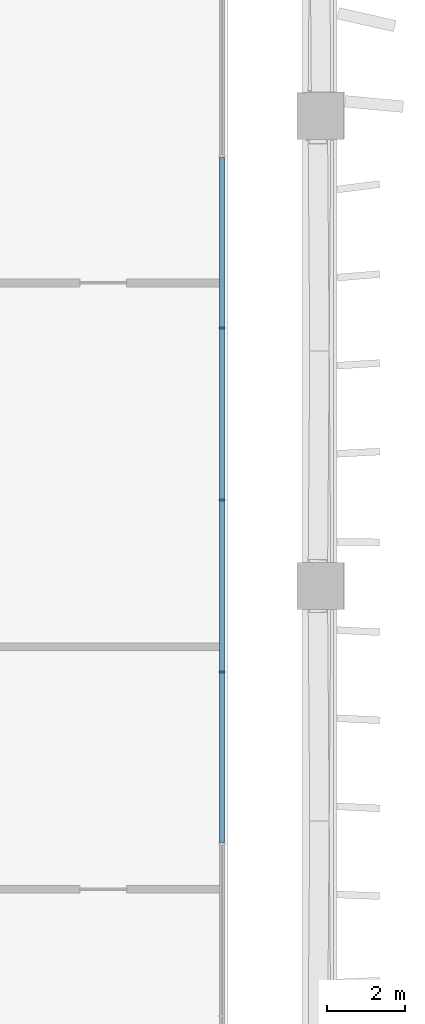
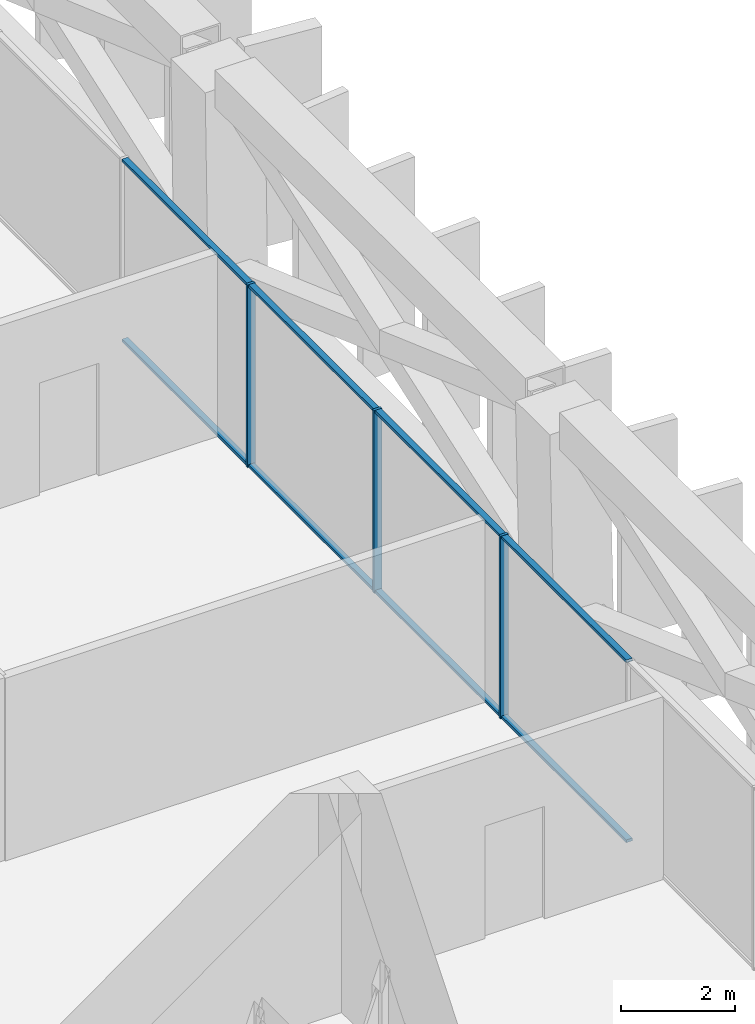
# One storey, part 8 of 18: 11 members, 1 element without a shape of its own.
"""IFC4 building model written with IfcOpenShell, lengths in metres."""

from ifc_helpers import new_model, si_unit, direction, frame, origin, origin_2d, place, context, subcontext, project, spatial, rectangle, extrude, material, layer, layer_set, material_profile, profile_set, type_object, element, aggregate, save


model = new_model("IFC4")

# Units and contexts
model_context = context("Model", 3, precision=1e-05, world=origin(), true_north=direction((0.0, 1.0)))
body_context = subcontext(model_context, "Body", "Model", "MODEL_VIEW")
ifc_project = project(units=[si_unit("LENGTHUNIT", "METRE"), si_unit("AREAUNIT", "SQUARE_METRE"), si_unit("VOLUMEUNIT", "CUBIC_METRE"), si_unit("PLANEANGLEUNIT", "RADIAN"), si_unit("MASSUNIT", "GRAM", prefix="KILO")], contexts=[model_context])

# Site, building, storey
site_placement = place(None, origin())
site = spatial("IfcSite", under=ifc_project, at=site_placement, CompositionType="ELEMENT")
building_placement = place(site_placement, origin())
building = spatial("IfcBuilding", under=site, at=building_placement, Name="Jabali Bay Hotel Tower and Convention Centre", CompositionType="ELEMENT")
storey_placement = place(building_placement, frame((0.0, 0.0, 52.89990234375)))
storey = spatial("IfcBuildingStorey", under=building, at=storey_placement, Name="L11", CompositionType="ELEMENT", Elevation=52.89990234375)

# Curtain wall, members
ifc_material_1 = material(Name="Aluminium and glass", Category="aluminium")
ifc_layer = layer(ifc_material_1, 0.159912109375)
ifc_layer_set = layer_set([ifc_layer], Name="Aluminium and glass")
curtain_wall_type = type_object("IfcCurtainWallType", Name="CW3 curtain wall", PredefinedType="NOTDEFINED", material=ifc_layer_set)
curtain_wall_placement = place(storey_placement, origin())
curtain_wall = element("IfcCurtainWall", 1, at=curtain_wall_placement, inside=storey, type_object=curtain_wall_type, Name="CW3 curtain wall east face L11", PredefinedType="NOTDEFINED")
ifc_material_2 = material(Name="Aluminium", Category="aluminium")
ifc_material_profile_1 = material_profile(ifc_material_2, rectangle(XDim=0.159912109375, YDim=0.06005859375, at=origin_2d()), Name="CW3 mullion 60 x 160")
ifc_profile_set_1 = profile_set([ifc_material_profile_1], Name="Aluminium")
member_type_1 = type_object("IfcMemberType", Name="CW3 mullion 60 x 160", PredefinedType="MULLION", material=ifc_profile_set_1)
member_1_placement = place(storey_placement, frame((96.03759765625, 86.634033203125, 0.0), z_axis=(0.0, 0.0, 1.0), x_axis=(1.0, 0.0, 0.0)))
member_1 = element("IfcMember", 2, at=member_1_placement, type_object=member_type_1, Name="CW3 mullion 6", PredefinedType="MULLION", context=body_context, shape_type="SweptSolid", body=[
    extrude(rectangle(XDim=0.159912109375, YDim=0.06005859375, at=origin_2d()), origin(), (0.0, 0.0, 1.0), 3.900146484375),
])
member_2_placement = place(storey_placement, frame((96.03759765625, 82.21142578125, 0.0), z_axis=(0.0, 0.0, 1.0), x_axis=(1.0, 0.0, 0.0)))
member_2 = element("IfcMember", 3, at=member_2_placement, type_object=member_type_1, Name="CW3 mullion 7", PredefinedType="MULLION", context=body_context, shape_type="SweptSolid", body=[
    extrude(rectangle(XDim=0.159912109375, YDim=0.06005859375, at=origin_2d()), origin(), (0.0, 0.0, 1.0), 3.900146484375),
])
member_3_placement = place(storey_placement, frame((96.03759765625, 77.78857421875, 0.0), z_axis=(0.0, 0.0, 1.0), x_axis=(1.0, 0.0, 0.0)))
member_3 = element("IfcMember", 4, at=member_3_placement, type_object=member_type_1, Name="CW3 mullion 8", PredefinedType="MULLION", context=body_context, shape_type="SweptSolid", body=[
    extrude(rectangle(XDim=0.159912109375, YDim=0.06005859375, at=origin_2d()), origin(), (0.0, 0.0, 1.0), 3.900146484375),
])
ifc_material_profile_2 = material_profile(ifc_material_2, rectangle(XDim=0.1201171875, YDim=0.06005859375, at=origin_2d()), Name="CW3 transom 60 x 120")
ifc_profile_set_2 = profile_set([ifc_material_profile_2], Name="Aluminium")
member_type_2 = type_object("IfcMemberType", Name="CW3 transom 60 x 120", PredefinedType="USERDEFINED", material=ifc_profile_set_2)
member_4_placement = place(storey_placement, frame((96.03759765625, 91.02685546875, 0.030029296875), z_axis=(0.0, -1.0, 0.0), x_axis=(1.0, 0.0, 0.0)))
member_4 = element("IfcMember", 5, at=member_4_placement, type_object=member_type_2, Name="CW3 transom 5.1", ObjectType="TRANSOM", PredefinedType="USERDEFINED", context=body_context, shape_type="SweptSolid", body=[
    extrude(rectangle(XDim=0.1201171875, YDim=0.06005859375, at=origin_2d()), origin(), (0.0, 0.0, 1.0), 4.36279296875),
])
member_5_placement = place(storey_placement, frame((96.03759765625, 91.02685546875, 3.8701171875), z_axis=(0.0, -1.0, 0.0), x_axis=(1.0, 0.0, 0.0)))
member_5 = element("IfcMember", 6, at=member_5_placement, type_object=member_type_2, Name="CW3 transom 5.2", ObjectType="TRANSOM", PredefinedType="USERDEFINED", context=body_context, shape_type="SweptSolid", body=[
    extrude(rectangle(XDim=0.1201171875, YDim=0.06005859375, at=origin_2d()), origin(), (0.0, 0.0, 1.0), 4.36279296875),
])
member_6_placement = place(storey_placement, frame((96.03759765625, 86.60400390625, 0.030029296875), z_axis=(0.0, -1.0, 0.0), x_axis=(1.0, 0.0, 0.0)))
member_6 = element("IfcMember", 7, at=member_6_placement, type_object=member_type_2, Name="CW3 transom 6.1", ObjectType="TRANSOM", PredefinedType="USERDEFINED", context=body_context, shape_type="SweptSolid", body=[
    extrude(rectangle(XDim=0.1201171875, YDim=0.06005859375, at=origin_2d()), origin(), (0.0, 0.0, 1.0), 4.362548828125),
])
member_7_placement = place(storey_placement, frame((96.03759765625, 86.60400390625, 3.8701171875), z_axis=(0.0, -1.0, 0.0), x_axis=(1.0, 0.0, 0.0)))
member_7 = element("IfcMember", 8, at=member_7_placement, type_object=member_type_2, Name="CW3 transom 6.2", ObjectType="TRANSOM", PredefinedType="USERDEFINED", context=body_context, shape_type="SweptSolid", body=[
    extrude(rectangle(XDim=0.1201171875, YDim=0.06005859375, at=origin_2d()), origin(), (0.0, 0.0, 1.0), 4.362548828125),
])
member_8_placement = place(storey_placement, frame((96.03759765625, 82.181396484375, 0.030029296875), z_axis=(0.0, -1.0, 0.0), x_axis=(1.0, 0.0, 0.0)))
member_8 = element("IfcMember", 9, at=member_8_placement, type_object=member_type_2, Name="CW3 transom 7.1", ObjectType="TRANSOM", PredefinedType="USERDEFINED", context=body_context, shape_type="SweptSolid", body=[
    extrude(rectangle(XDim=0.1201171875, YDim=0.06005859375, at=origin_2d()), origin(), (0.0, 0.0, 1.0), 4.36279296875),
])
member_9_placement = place(storey_placement, frame((96.03759765625, 82.181396484375, 3.8701171875), z_axis=(0.0, -1.0, 0.0), x_axis=(1.0, 0.0, 0.0)))
member_9 = element("IfcMember", 10, at=member_9_placement, type_object=member_type_2, Name="CW3 transom 7.2", ObjectType="TRANSOM", PredefinedType="USERDEFINED", context=body_context, shape_type="SweptSolid", body=[
    extrude(rectangle(XDim=0.1201171875, YDim=0.06005859375, at=origin_2d()), origin(), (0.0, 0.0, 1.0), 4.36279296875),
])
member_10_placement = place(storey_placement, frame((96.03759765625, 77.758544921875, 0.030029296875), z_axis=(0.0, -1.0, 0.0), x_axis=(1.0, 0.0, 0.0)))
member_10 = element("IfcMember", 11, at=member_10_placement, type_object=member_type_2, Name="CW3 transom 8.1", ObjectType="TRANSOM", PredefinedType="USERDEFINED", context=body_context, shape_type="SweptSolid", body=[
    extrude(rectangle(XDim=0.1201171875, YDim=0.06005859375, at=origin_2d()), origin(), (0.0, 0.0, 1.0), 4.362548828125),
])
member_11_placement = place(storey_placement, frame((96.03759765625, 77.758544921875, 3.8701171875), z_axis=(0.0, -1.0, 0.0), x_axis=(1.0, 0.0, 0.0)))
member_11 = element("IfcMember", 12, at=member_11_placement, type_object=member_type_2, Name="CW3 transom 8.2", ObjectType="TRANSOM", PredefinedType="USERDEFINED", context=body_context, shape_type="SweptSolid", body=[
    extrude(rectangle(XDim=0.1201171875, YDim=0.06005859375, at=origin_2d()), origin(), (0.0, 0.0, 1.0), 4.362548828125),
])
aggregate(curtain_wall, [member_1, member_2, member_3, member_4, member_5, member_6, member_7, member_8, member_9, member_10, member_11])

save(model, "model.ifc")
